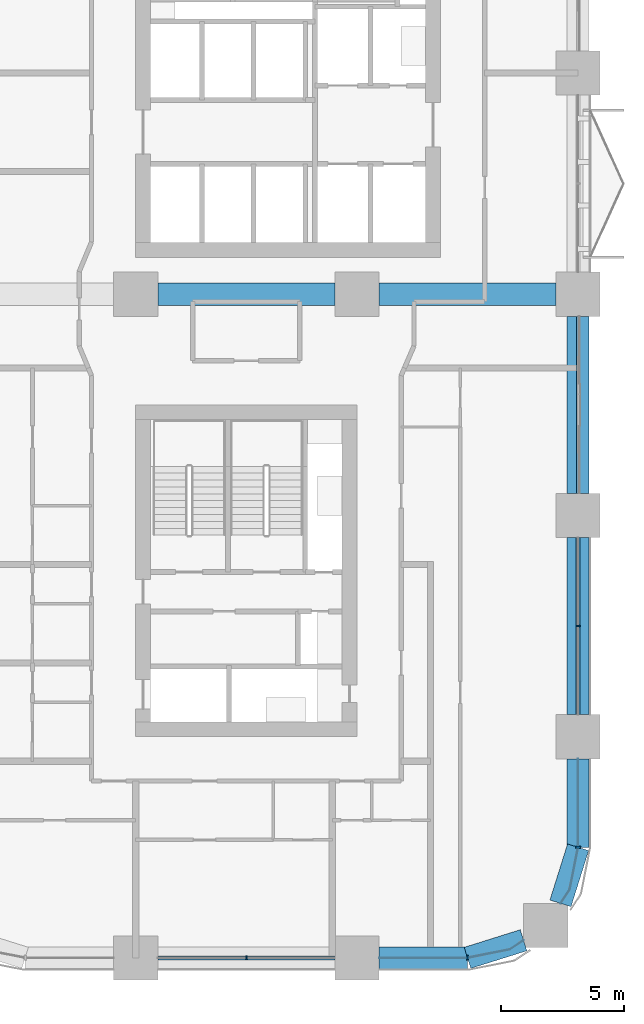
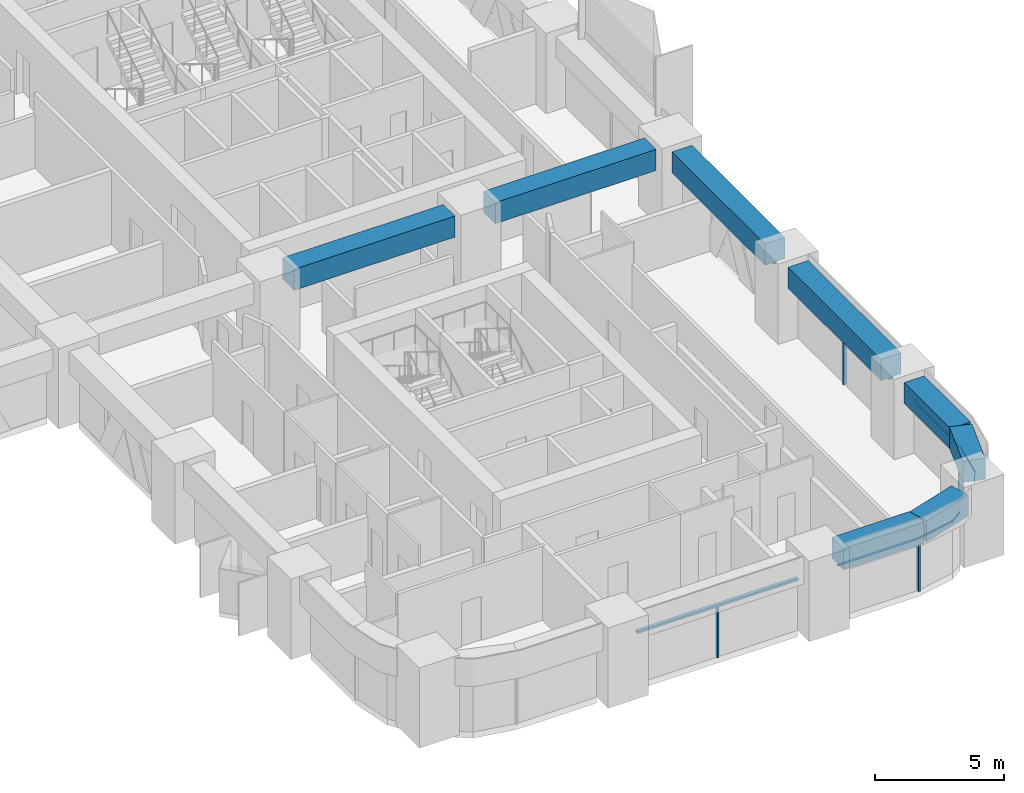
# One storey, part 5 of 24: 9 members, 8 beams, 5 elements without a shape of their own.
"""IFC4 building model written with IfcOpenShell, lengths in metres."""

import ifcopenshell
import ifcopenshell.guid

model = None  # the IFC model being written
_history = None  # IfcOwnerHistory: only IFC2X3 demands one
_inside = {}  # id of a spatial element -> (the spatial element, [elements in it])
_under = {}  # id of a project, library or spatial element -> (it, [spatial elements below it])
_declared = {}  # id of a project -> (the project, [libraries it declares])
_typed = {}  # id of a type object -> (the type object, [elements of that type])
_made_of = {}  # id of a material, layer set ... -> (it, [elements and type objects made of it])


def new_model(schema):
    """Start an empty IFC model of exactly this schema.

    Asked for "IFC4X3", IfcOpenShell would pick the latest addendum, in which some entities
    have other attributes; the version numbers below select the first issue.
    IFC2X3 requires an IfcOwnerHistory on every rooted entity: one is made here for all.
    """
    global model, _history
    if schema == "IFC4X3":
        model = ifcopenshell.file(schema_version=(4, 3, 0, 0))
    else:
        model = ifcopenshell.file(schema=schema)
    _inside.clear()
    _under.clear()
    _declared.clear()
    _typed.clear()
    _made_of.clear()
    _history = None
    if model.schema == "IFC2X3":
        org = make("IfcOrganization", Name="unknown")
        user = make(
            "IfcPersonAndOrganization",
            ThePerson=make("IfcPerson", FamilyName="unknown"),
            TheOrganization=org,
        )
        app = make(
            "IfcApplication",
            ApplicationDeveloper=org,
            Version="unknown",
            ApplicationFullName="unknown",
            ApplicationIdentifier="unknown",
        )
        _history = make(
            "IfcOwnerHistory",
            OwningUser=user,
            OwningApplication=app,
            ChangeAction="ADDED",
            CreationDate=0,
        )
    return model


def make(cls, **values):
    """One entity of the class cls with the attributes given. An attribute that is None is left unset."""
    return model.create_entity(
        cls, **{name: value for name, value in values.items() if value is not None}
    )


def rooted(cls, **values):
    """An entity with a GlobalId (a new one), such as an element, a storey or a relation."""
    return make(cls, GlobalId=ifcopenshell.guid.new(), OwnerHistory=_history, **values)


def si_unit(unit_type, name, prefix=None):
    """IfcSIUnit, for example si_unit("LENGTHUNIT", "METRE", prefix="MILLI")."""
    return make("IfcSIUnit", UnitType=unit_type, Prefix=prefix, Name=name)


def assignment(units):
    """IfcUnitAssignment: the units of a project."""
    return None if units is None else make("IfcUnitAssignment", Units=units)


def point(xyz):
    """IfcCartesianPoint."""
    return None if xyz is None else make("IfcCartesianPoint", Coordinates=xyz)


def direction(xyz):
    """IfcDirection."""
    return None if xyz is None else make("IfcDirection", DirectionRatios=xyz)


def frame(location, z_axis=None, x_axis=None):
    """IfcAxis2Placement3D, a coordinate frame: its origin and axes. An axis left out is left unset."""
    return make(
        "IfcAxis2Placement3D",
        Location=point(location),
        Axis=direction(z_axis),
        RefDirection=direction(x_axis),
    )


def frame_2d(location, x_axis=None):
    """IfcAxis2Placement2D, a coordinate frame in the plane: its origin and x axis."""
    return make(
        "IfcAxis2Placement2D", Location=point(location), RefDirection=direction(x_axis)
    )


def origin():
    """The frame at (0, 0, 0) with its axes left unset."""
    return frame((0.0, 0.0, 0.0))


def origin_2d():
    """The frame at (0, 0) in the plane with its x axis left unset."""
    return frame_2d((0.0, 0.0))


def place(relative_to, where):
    """IfcLocalPlacement: puts the frame where relative to a parent placement (None: the world)."""
    return make(
        "IfcLocalPlacement", PlacementRelTo=relative_to, RelativePlacement=where
    )


def context(
    kind, dimensions, precision=None, world=None, true_north=None, identifier=None
):
    """IfcGeometricRepresentationContext, for example the 3D "Model" context."""
    return make(
        "IfcGeometricRepresentationContext",
        ContextIdentifier=identifier,
        ContextType=kind,
        CoordinateSpaceDimension=dimensions,
        Precision=precision,
        WorldCoordinateSystem=world,
        TrueNorth=true_north,
    )


def subcontext(parent, identifier, kind, view, scale=None):
    """IfcGeometricRepresentationSubContext, for example "Body" below "Model"."""
    return make(
        "IfcGeometricRepresentationSubContext",
        ContextIdentifier=identifier,
        ContextType=kind,
        ParentContext=parent,
        TargetScale=scale,
        TargetView=view,
    )


def project(units=None, contexts=None):
    """IfcProject with its units and contexts."""
    return rooted(
        "IfcProject",
        Name="project",
        RepresentationContexts=contexts,
        UnitsInContext=assignment(units),
    )


def spatial(cls, under=None, at=None, **own):
    """A site, building, storey or space (cls), placed at a placement, below another one or the project."""
    s = rooted(cls, ObjectPlacement=at, **own)
    if under is not None:
        _under.setdefault(under.id(), (under, []))[1].append(s)
    return s


def polyline(points):
    """IfcPolyline through the points."""
    return make("IfcPolyline", Points=[point(p) for p in points])


def profile(cls, at=None, kind="AREA", **sizes):
    """A parametric profile (cls). Its sizes go by their IFC names, for example OverallWidth=200.0."""
    return make(cls, ProfileType=kind, Position=at, **sizes)


def rectangle(**sizes):
    """IfcRectangleProfileDef."""
    return profile("IfcRectangleProfileDef", **sizes)


def outline(outer, holes=None, kind="AREA"):
    """IfcArbitraryClosedProfileDef: a profile drawn as a closed curve; with holes, ...WithVoids."""
    if holes is None:
        return make("IfcArbitraryClosedProfileDef", ProfileType=kind, OuterCurve=outer)
    return make(
        "IfcArbitraryProfileDefWithVoids",
        ProfileType=kind,
        OuterCurve=outer,
        InnerCurves=holes,
    )


def extrude(swept, where, along, depth):
    """IfcExtrudedAreaSolid: the profile swept, set in the frame where, extruded along a direction by depth."""
    return make(
        "IfcExtrudedAreaSolid",
        SweptArea=swept,
        Position=where,
        ExtrudedDirection=direction(along),
        Depth=depth,
    )


def shape(context_of_items, identifier, shape_type, items):
    """IfcShapeRepresentation: the items that make up one representation, for example the "Body"."""
    return make(
        "IfcShapeRepresentation",
        ContextOfItems=context_of_items,
        RepresentationIdentifier=identifier,
        RepresentationType=shape_type,
        Items=items,
    )


def material(Name=None, Category=None):
    """IfcMaterial."""
    return make("IfcMaterial", Name=Name, Category=Category)


def material_profile(
    of_material, cross_section, Name=None, Category=None, Priority=None
):
    """IfcMaterialProfile: a cross section and its material."""
    return make(
        "IfcMaterialProfile",
        Name=Name,
        Material=of_material,
        Profile=cross_section,
        Priority=Priority,
        Category=Category,
    )


def profile_set(profiles, Name=None, composite=None):
    """IfcMaterialProfileSet."""
    return make(
        "IfcMaterialProfileSet",
        Name=Name,
        MaterialProfiles=profiles,
        CompositeProfile=composite,
    )


def made_of(thing, what):
    """Note that an element or type object is made of a material, layer set ...; save() writes the relation."""
    if what is not None:
        _made_of.setdefault(what.id(), (what, []))[1].append(thing)
    return thing


def type_object(cls, material=None, **own):
    """A type object (cls), such as IfcWallType, which elements share."""
    return made_of(rooted(cls, **own), material)


def element(
    cls,
    number,
    at=None,
    inside=None,
    cuts=None,
    type_object=None,
    material=None,
    context=None,
    identifier="Body",
    shape_type=None,
    held_by="IfcProductDefinitionShape",
    body=None,
    shapes=None,
    **own,
):
    """One element of the class cls, such as IfcWall. Its Tag is "e" and its number.

    at: its placement. inside: the storey or other place that contains it. cuts: it is an
    opening in that element (IfcRelVoidsElement). A single representation is given by context,
    identifier, shape_type and body (its items); several are given by shapes. held_by: the class
    of the entity that holds the representations. save() writes the other relations.
    """
    e = rooted(cls, Tag="e%d" % number, ObjectPlacement=at, **own)
    if body is not None:
        shapes = [shape(context, identifier, shape_type, body)]
    if shapes is not None:
        e.Representation = make(held_by, Representations=shapes)
    if inside is not None:
        _inside.setdefault(inside.id(), (inside, []))[1].append(e)
    if cuts is not None:
        rooted(
            "IfcRelVoidsElement", RelatingBuildingElement=cuts, RelatedOpeningElement=e
        )
    if type_object is not None:
        _typed.setdefault(type_object.id(), (type_object, []))[1].append(e)
    return made_of(e, material)


def aggregate(whole, parts):
    """IfcRelAggregates: a whole, such as a stair, and the parts it consists of."""
    return rooted("IfcRelAggregates", RelatingObject=whole, RelatedObjects=parts)


def save(model, path):
    """Write the relations noted so far, then the file.

    IfcRelAggregates (storeys below a building ...), IfcRelContainedInSpatialStructure (elements
    in a storey), IfcRelDefinesByType, IfcRelAssociatesMaterial and IfcRelDeclares: one each for
    every whole, place, type object, material and project.
    """
    for whole, parts in _under.values():
        aggregate(whole, parts)
    for where, things in _inside.values():
        rooted(
            "IfcRelContainedInSpatialStructure",
            RelatedElements=things,
            RelatingStructure=where,
        )
    for kind, things in _typed.values():
        rooted("IfcRelDefinesByType", RelatedObjects=things, RelatingType=kind)
    for what, things in _made_of.values():
        rooted("IfcRelAssociatesMaterial", RelatedObjects=things, RelatingMaterial=what)
    for by, libraries in _declared.values():
        rooted("IfcRelDeclares", RelatingContext=by, RelatedDefinitions=libraries)
    model.write(path)


model = new_model("IFC4")

# Units and contexts
model_context = context("Model", 3, precision=1e-05, world=origin(), true_north=direction((0.0, 1.0)))
body_context = subcontext(model_context, "Body", "Model", "MODEL_VIEW")
ifc_project = project(units=[si_unit("LENGTHUNIT", "METRE"), si_unit("AREAUNIT", "SQUARE_METRE"), si_unit("VOLUMEUNIT", "CUBIC_METRE"), si_unit("PLANEANGLEUNIT", "RADIAN"), si_unit("MASSUNIT", "GRAM", prefix="KILO")], contexts=[model_context])

# Site, building, storey
site_placement = place(None, origin())
site = spatial("IfcSite", under=ifc_project, at=site_placement, CompositionType="ELEMENT")
building_placement = place(site_placement, origin())
building = spatial("IfcBuilding", under=site, at=building_placement, Name="Tessera Arch", CompositionType="ELEMENT")
storey_placement = place(building_placement, frame((0.0, 0.0, 81.60009765625)))
storey = spatial("IfcBuildingStorey", under=building, at=storey_placement, Name="L18", CompositionType="ELEMENT", Elevation=81.60009765625)

# Curtain wall, member
ifc_material_1 = material(Name="CW1 curtain wall")
curtain_wall_type_1 = type_object("IfcCurtainWallType", Name="CW1 curtain wall", PredefinedType="NOTDEFINED", material=ifc_material_1)
curtain_wall_1_placement = place(storey_placement, origin())
curtain_wall_1 = element("IfcCurtainWall", 1, at=curtain_wall_1_placement, inside=storey, type_object=curtain_wall_type_1, Name="CW1 curtain wall S0.27/1 L18", PredefinedType="NOTDEFINED")
ifc_material_2 = material(Name="Anodised aluminium pale metal", Category="aluminium")
ifc_material_profile_1 = material_profile(ifc_material_2, rectangle(XDim=0.159912109375, YDim=0.06005859375, at=origin_2d()), Name="AL 60x160")
ifc_profile_set_1 = profile_set([ifc_material_profile_1], Name="Anodised aluminium pale metal")
member_type_1 = type_object("IfcMemberType", Name="CW1 mullion", PredefinedType="MULLION", material=ifc_profile_set_1)
member_1_placement = place(storey_placement, frame((40.5, 0.0, 0.0), z_axis=(0.0, 0.0, 1.0), x_axis=(0.0, 1.0, 0.0)))
member_1 = element("IfcMember", 2, at=member_1_placement, type_object=member_type_1, Name="CW1 mullion S0.27/1 1", PredefinedType="MULLION", context=body_context, shape_type="SweptSolid", body=[
    extrude(rectangle(XDim=0.159912109375, YDim=0.06005859375, at=origin_2d()), origin(), (0.0, 0.0, 1.0), 2.39990234375),
])

curtain_wall_2_placement = place(storey_placement, origin())
curtain_wall_2 = element("IfcCurtainWall", 3, at=curtain_wall_2_placement, inside=storey, type_object=curtain_wall_type_1, Name="CW1 curtain wall E54.0/1 L18", PredefinedType="NOTDEFINED")
member_2_placement = place(storey_placement, frame((54.0, 13.5, 0.0), z_axis=(0.0, 0.0, 1.0), x_axis=(-1.0, 0.0, 0.0)))
member_2 = element("IfcMember", 4, at=member_2_placement, type_object=member_type_1, Name="CW1 mullion E54.0/1 1", PredefinedType="MULLION", context=body_context, shape_type="SweptSolid", body=[
    extrude(rectangle(XDim=0.159912109375, YDim=0.06005859375, at=origin_2d()), origin(), (0.0, 0.0, 1.0), 2.39990234375),
])

# Member
ifc_material_3 = material(Name="Anodised aluminium pale metal", Category="aluminium")
ifc_material_profile_2 = material_profile(ifc_material_3, rectangle(XDim=0.159912109375, YDim=0.10009765625, at=origin_2d()), Name="AL 160x100")
ifc_profile_set_2 = profile_set([ifc_material_profile_2], Name="Anodised aluminium pale metal")
member_type_2 = type_object("IfcMemberType", Name="CW1 transom", PredefinedType="USERDEFINED", material=ifc_profile_set_2)
member_3_placement = place(storey_placement, frame((36.89990234375, 0.0, 2.449951171875), z_axis=(1.0, 0.0, 0.0), x_axis=(0.0, 1.0, 0.0)))
member_3 = element("IfcMember", 5, at=member_3_placement, type_object=member_type_2, Name="CW1 transom S0.27/1 1.1", ObjectType="TRANSOM", PredefinedType="USERDEFINED", context=body_context, shape_type="SweptSolid", body=[
    extrude(rectangle(XDim=0.159912109375, YDim=0.10009765625, at=origin_2d()), origin(), (0.0, 0.0, 1.0), 7.2001953125),
])

aggregate(curtain_wall_1, [member_1, member_3])

member_4_placement = place(storey_placement, frame((54.0, 9.89990234375, 2.449951171875), z_axis=(0.0, 1.0, 0.0), x_axis=(-1.0, 0.0, 0.0)))
member_4 = element("IfcMember", 6, at=member_4_placement, type_object=member_type_2, Name="CW1 transom E54.0/1 1.1", ObjectType="TRANSOM", PredefinedType="USERDEFINED", context=body_context, shape_type="SweptSolid", body=[
    extrude(rectangle(XDim=0.159912109375, YDim=0.10009765625, at=origin_2d()), origin(), (0.0, 0.0, 1.0), 7.2001953125),
])

aggregate(curtain_wall_2, [member_2, member_4])

# Curtain wall, member
ifc_material_4 = material(Name="CW2 curtain wall")
curtain_wall_type_2 = type_object("IfcCurtainWallType", Name="CW2 curtain wall", PredefinedType="NOTDEFINED", material=ifc_material_4)
curtain_wall_3_placement = place(storey_placement, origin())
curtain_wall_3 = element("IfcCurtainWall", 7, at=curtain_wall_3_placement, inside=storey, type_object=curtain_wall_type_2, Name="CW2 curtain wall S0.27/2 L18", PredefinedType="NOTDEFINED")
ifc_material_5 = material(Name="Anodised aluminium pale metal", Category="aluminium")
ifc_material_profile_3 = material_profile(ifc_material_5, rectangle(XDim=0.199951171875, YDim=0.080078125, at=origin_2d()), Name="AL 80x200")
ifc_profile_set_3 = profile_set([ifc_material_profile_3], Name="Anodised aluminium pale metal")
member_type_3 = type_object("IfcMemberType", Name="CW2 mullion", PredefinedType="MULLION", material=ifc_profile_set_3)
member_5_placement = place(storey_placement, frame((49.5, 0.0, 0.0), z_axis=(0.0, 0.0, 1.0), x_axis=(0.0, 1.0, 0.0)))
member_5 = element("IfcMember", 8, at=member_5_placement, type_object=member_type_3, Name="CW2 mullion S0.27/2 1", PredefinedType="MULLION", context=body_context, shape_type="SweptSolid", body=[
    extrude(rectangle(XDim=0.199951171875, YDim=0.080078125, at=origin_2d()), origin(), (0.0, 0.0, 1.0), 2.39990234375),
])

curtain_wall_4_placement = place(storey_placement, origin())
curtain_wall_4 = element("IfcCurtainWall", 9, at=curtain_wall_4_placement, inside=storey, type_object=curtain_wall_type_2, Name="CW2 curtain wall E54.0/0 L18", PredefinedType="NOTDEFINED")
member_6_placement = place(storey_placement, frame((54.0, 4.5, 0.0), z_axis=(0.0, 0.0, 1.0), x_axis=(-1.0, 0.0, 0.0)))
member_6 = element("IfcMember", 10, at=member_6_placement, type_object=member_type_3, Name="CW2 mullion E54.0/0 1", PredefinedType="MULLION", context=body_context, shape_type="SweptSolid", body=[
    extrude(rectangle(XDim=0.199951171875, YDim=0.080078125, at=origin_2d()), origin(), (0.0, 0.0, 1.0), 2.39990234375),
])

# Member
ifc_material_6 = material(Name="Anodised aluminium pale metal", Category="aluminium")
ifc_material_profile_4 = material_profile(ifc_material_6, rectangle(XDim=0.199951171875, YDim=0.10009765625, at=origin_2d()), Name="AL 200x100")
ifc_profile_set_4 = profile_set([ifc_material_profile_4], Name="Anodised aluminium pale metal")
member_type_4 = type_object("IfcMemberType", Name="CW2 transom", PredefinedType="USERDEFINED", material=ifc_profile_set_4)
member_7_placement = place(storey_placement, frame((0.0, 0.0, 2.39990234375)))
member_7 = element("IfcMember", 11, at=member_7_placement, type_object=member_type_4, Name="CW2 transom S0.27/2 1", ObjectType="TRANSOM", PredefinedType="USERDEFINED", context=body_context, shape_type="SweptSolid", body=[
    extrude(outline(polyline([(49.4990234375, 0.010009765625), (45.89990234375, 0.010009765625), (45.89990234375, -0.010009765625), (49.5009765625, -0.010009765625), (51.22607421875, 0.3330078125), (51.78759765625, 0.70849609375), (51.7763671875, 0.72509765625), (51.21826171875, 0.351806640625), (49.4990234375, 0.010009765625)])), origin(), (0.0, 0.0, 1.0), 0.10009765625),
])

aggregate(curtain_wall_3, [member_5, member_7])

member_8_placement = place(storey_placement, frame((0.0, 0.0, 2.39990234375)))
member_8 = element("IfcMember", 12, at=member_8_placement, type_object=member_type_4, Name="CW2 transom E54.0/0 1", ObjectType="TRANSOM", PredefinedType="USERDEFINED", context=body_context, shape_type="SweptSolid", body=[
    extrude(outline(polyline([(53.648193359375, 2.78173828125), (53.27490234375, 2.2236328125), (53.29150390625, 2.21240234375), (53.6669921875, 2.77392578125), (54.010009765625, 4.4990234375), (54.010009765625, 8.10009765625), (53.989990234375, 8.10009765625), (53.989990234375, 4.5009765625), (53.648193359375, 2.78173828125)])), origin(), (0.0, 0.0, 1.0), 0.10009765625),
])

aggregate(curtain_wall_4, [member_6, member_8])

# Curtain wall, member
ifc_material_7 = material(Name="CW3 curtain wall")
curtain_wall_type_3 = type_object("IfcCurtainWallType", Name="CW3 curtain wall", PredefinedType="NOTDEFINED", material=ifc_material_7)
curtain_wall_5_placement = place(storey_placement, origin())
curtain_wall_5 = element("IfcCurtainWall", 13, at=curtain_wall_5_placement, inside=storey, type_object=curtain_wall_type_3, Name="CW3 curtain wall E54.0/2 L18", PredefinedType="NOTDEFINED")
ifc_material_8 = material(Name="Anodised aluminium pale metal", Category="aluminium")
ifc_material_profile_5 = material_profile(ifc_material_8, rectangle(XDim=0.139892578125, YDim=0.10009765625, at=origin_2d()), Name="AL 140x100")
ifc_profile_set_5 = profile_set([ifc_material_profile_5], Name="Anodised aluminium pale metal")
member_type_5 = type_object("IfcMemberType", Name="CW3 transom", PredefinedType="USERDEFINED", material=ifc_profile_set_5)
member_9_placement = place(storey_placement, frame((54.0, 18.89990234375, 2.449951171875), z_axis=(0.0, 1.0, 0.0), x_axis=(-1.0, 0.0, 0.0)))
member_9 = element("IfcMember", 14, at=member_9_placement, type_object=member_type_5, Name="CW3 transom E54.0/2 1.1", ObjectType="TRANSOM", PredefinedType="USERDEFINED", context=body_context, shape_type="SweptSolid", body=[
    extrude(rectangle(XDim=0.139892578125, YDim=0.10009765625, at=origin_2d()), origin(), (0.0, 0.0, 1.0), 7.2001953125),
])
aggregate(curtain_wall_5, [member_9])

# Beams
ifc_material_9 = material(Name="Concrete C80/95", Category="concrete")
ifc_material_profile_6 = material_profile(ifc_material_9, rectangle(XDim=0.89990234375, YDim=1.0, at=origin_2d()), Name="RC spandrel beam 900 x 1000 Concrete C80/95")
ifc_profile_set_6 = profile_set([ifc_material_profile_6], Name="Concrete C80/95")
beam_type = type_object("IfcBeamType", Name="RC spandrel beam 900 x 1000 Concrete C80/95", PredefinedType="BEAM", material=ifc_profile_set_6)
beam_1_placement = place(storey_placement, frame((45.89990234375, 0.0, 3.0), z_axis=(1.0, 0.0, 0.0), x_axis=(0.0, 1.0, 0.0)))
element("IfcBeam", 15, at=beam_1_placement, inside=storey, type_object=beam_type, Name="Spandrel beam L18 S0.27/2.1", PredefinedType="BEAM", context=body_context, shape_type="SweptSolid", body=[
    extrude(rectangle(XDim=0.89990234375, YDim=1.0, at=origin_2d()), origin(), (0.0, 0.0, 1.0), 3.60009765625),
])
for number, where, z_axis, x_axis, name in (
    (16, (49.5, 0.0, 3.0), (0.954041251279, 0.299675309057, 0.0), (-0.299675309057, 0.954041251279, 0.0), "Spandrel beam L18 S0.27/2.2"),
    (17, (53.283203125, 2.218017578125, 3.0), (0.299675309057, 0.954041251279, 0.0), (-0.954041251279, 0.299675309057, 0.0), "Spandrel beam L18 E54.0/0.1"),
):
    element("IfcBeam", number, at=place(storey_placement, frame(where, z_axis=z_axis, x_axis=x_axis)), inside=storey, type_object=beam_type, Name=name, PredefinedType="BEAM", context=body_context, shape_type="SweptSolid", body=[
        extrude(rectangle(XDim=0.89990234375, YDim=1.0, at=origin_2d()), origin(), (0.0, 0.0, 1.0), 2.391845703125),
    ])
beam_2_placement = place(storey_placement, frame((54.0, 4.5, 3.0), z_axis=(0.0, 1.0, 0.0), x_axis=(-1.0, 0.0, 0.0)))
element("IfcBeam", 18, at=beam_2_placement, inside=storey, type_object=beam_type, Name="Spandrel beam L18 E54.0/0.2", PredefinedType="BEAM", context=body_context, shape_type="SweptSolid", body=[
    extrude(rectangle(XDim=0.89990234375, YDim=1.0, at=origin_2d()), origin(), (0.0, 0.0, 1.0), 3.60009765625),
])
for number, where, z_axis, x_axis, name in (
    (19, (54.0, 9.89990234375, 3.0), (0.0, 1.0, 0.0), (-1.0, 0.0, 0.0), "Spandrel beam L18 E54.0/1"),
    (20, (54.0, 18.89990234375, 3.0), (0.0, 1.0, 0.0), (-1.0, 0.0, 0.0), "Spandrel beam L18 E54.0/2"),
    (21, (36.89990234375, 27.0, 3.0), (1.0, 0.0, 0.0), (0.0, 1.0, 0.0), "Interface beam L18 I1C5D-C6D"),
    (22, (45.89990234375, 27.0, 3.0), (1.0, 0.0, 0.0), (0.0, 1.0, 0.0), "Interface beam L18 I1C6D-C7D"),
):
    element("IfcBeam", number, at=place(storey_placement, frame(where, z_axis=z_axis, x_axis=x_axis)), inside=storey, type_object=beam_type, Name=name, PredefinedType="BEAM", context=body_context, shape_type="SweptSolid", body=[
        extrude(rectangle(XDim=0.89990234375, YDim=1.0, at=origin_2d()), origin(), (0.0, 0.0, 1.0), 7.2001953125),
    ])

save(model, "model.ifc")
